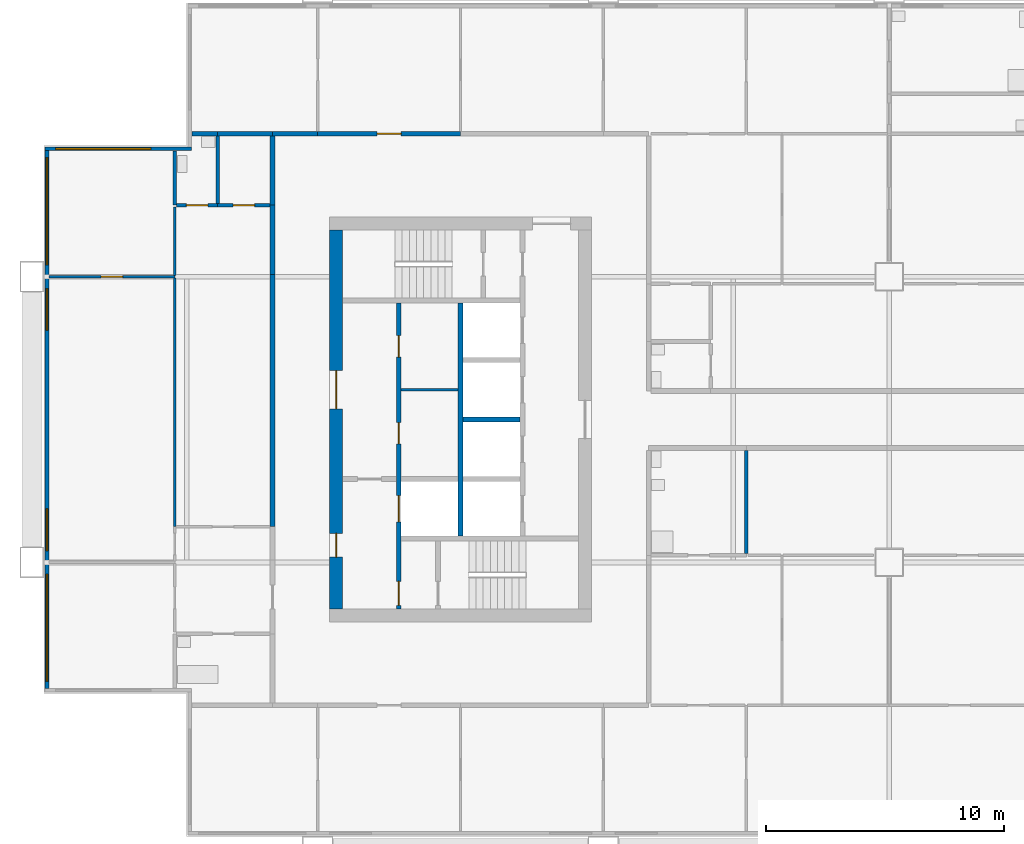
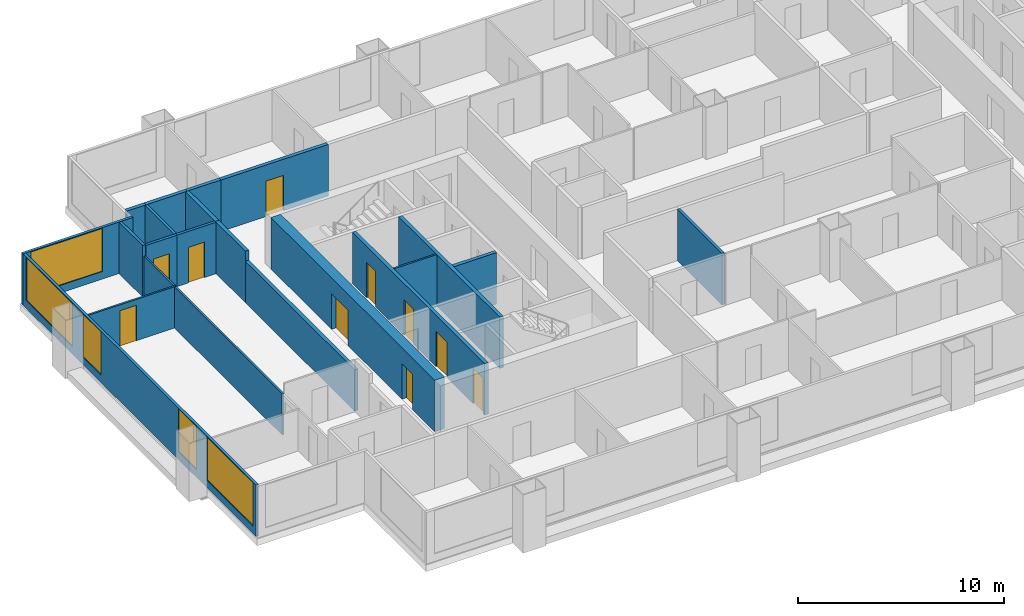
# One storey, part 3 of 9: 22 walls, 10 doors, 5 windows, 15 openings.
"""IFC4 building model written with IfcOpenShell, lengths in metres."""

from ifc_helpers import new_model, si_unit, direction, frame, frame_2d, origin, place, context, subcontext, project, spatial, rectangle, extrude, material, layer, layer_set, type_object, element, fill, save


model = new_model("IFC4")

# Units and contexts
model_context = context("Model", 3, precision=1e-05, world=origin(), true_north=direction((0.0, 1.0)))
body_context = subcontext(model_context, "Body", "Model", "MODEL_VIEW")
ifc_project = project(units=[si_unit("LENGTHUNIT", "METRE"), si_unit("AREAUNIT", "SQUARE_METRE"), si_unit("VOLUMEUNIT", "CUBIC_METRE"), si_unit("PLANEANGLEUNIT", "RADIAN"), si_unit("MASSUNIT", "GRAM", prefix="KILO")], contexts=[model_context])

# Site, building, storey
site_placement = place(None, origin())
site = spatial("IfcSite", under=ifc_project, at=site_placement, CompositionType="ELEMENT")
building_placement = place(site_placement, origin())
building = spatial("IfcBuilding", under=site, at=building_placement, Name="Kitamizu Gate Tower and Museum", CompositionType="ELEMENT")
storey_placement = place(building_placement, frame((0.0, 0.0, 178.949951171875)))
storey = spatial("IfcBuildingStorey", under=building, at=storey_placement, Name="L47", CompositionType="ELEMENT", Elevation=178.949951171875)

# Wall, openings, doors
ifc_material_1 = material(Name="Concrete Fc42", Category="concrete")
ifc_layer_1 = layer(ifc_material_1, 0.550048828125)
ifc_layer_set_1 = layer_set([ifc_layer_1], Name="Concrete Fc42")
wall_type_1 = type_object("IfcWallType", Name="Core wall 550", PredefinedType="SHEAR", material=ifc_layer_set_1)
wall_1_placement = place(storey_placement, frame((12.77490234375, 22.050048828125, 0.0), z_axis=(0.0, 0.0, 1.0), x_axis=(0.0, 1.0, 0.0)))
wall_1 = element("IfcWall", 1, at=wall_1_placement, inside=storey, type_object=wall_type_1, Name="Core wall WOUT", PredefinedType="SHEAR", context=body_context, shape_type="SweptSolid", body=[
    extrude(rectangle(XDim=15.89990234375, YDim=0.550048828125, at=frame_2d((7.949951171875, 0.0))), origin(), (0.0, 0.0, 1.0), 3.050048828125),
])
opening_1_placement = place(wall_1_placement, frame((8.39990234375, 0.0, 0.0)))
opening_1 = element("IfcOpeningElement", 2, at=opening_1_placement, cuts=wall_1, Name="Opening L47-046", PredefinedType="OPENING", context=body_context, shape_type="SweptSolid", body=[
    extrude(rectangle(XDim=1.60009765625, YDim=2.10009765625, at=frame_2d((0.800048828125, 1.050048828125))), frame((0.0, 0.28515625, 0.0), z_axis=(0.0, -1.0, 0.0), x_axis=(1.0, 0.0, 0.0)), (0.0, 0.0, 1.0), 0.570068359375),
])
opening_2_placement = place(wall_1_placement, frame((2.175048828125, 0.0, 0.0)))
opening_2 = element("IfcOpeningElement", 3, at=opening_2_placement, cuts=wall_1, Name="Opening L47-047", PredefinedType="OPENING", context=body_context, shape_type="SweptSolid", body=[
    extrude(rectangle(XDim=1.0, YDim=2.10009765625, at=frame_2d((0.5, 1.050048828125))), frame((0.0, 0.28515625, 0.0), z_axis=(0.0, -1.0, 0.0), x_axis=(1.0, 0.0, 0.0)), (0.0, 0.0, 1.0), 0.570068359375),
])
ifc_material_2 = material(Name="Timber door set", Category="wood")
door_type_1 = type_object("IfcDoorType", Name="Entrance door 1600", OperationType="DOUBLE_DOOR_SINGLE_SWING", PredefinedType="DOOR", material=ifc_material_2)
door_1_placement = place(opening_1_placement, origin())
door_1 = element("IfcDoor", 4, at=door_1_placement, inside=storey, type_object=door_type_1, Name="Lobby door L47-046", OperationType="DOUBLE_DOOR_SINGLE_SWING", OverallHeight=2.10009765625, OverallWidth=1.60009765625, PredefinedType="DOOR", context=body_context, shape_type="SweptSolid", body=[
    extrude(rectangle(XDim=1.60009765625, YDim=2.10009765625, at=frame_2d((0.800048828125, 1.050048828125))), frame((0.0, 0.02490234375, 0.0), z_axis=(0.0, -1.0, 0.0), x_axis=(1.0, 0.0, 0.0)), (0.0, 0.0, 1.0), 0.050048828125),
])
fill(opening_1, door_1)
ifc_material_3 = material(Name="Hollow metal door set")
door_type_2 = type_object("IfcDoorType", Name="Fire door 1000", OperationType="NOTDEFINED", PredefinedType="DOOR", material=ifc_material_3)
door_2_placement = place(opening_2_placement, frame((1.0, 0.0, 0.0), x_axis=(-1.0, 0.0, 0.0)))
door_2 = element("IfcDoor", 5, at=door_2_placement, inside=storey, type_object=door_type_2, Name="Fire-fighting lobby door L47-047", OperationType="SINGLE_SWING_LEFT", OverallHeight=2.10009765625, OverallWidth=1.0, PredefinedType="DOOR", context=body_context, shape_type="SweptSolid", body=[
    extrude(rectangle(XDim=1.0, YDim=2.10009765625, at=frame_2d((0.5, 1.050048828125))), frame((0.0, 0.02490234375, 0.0), z_axis=(0.0, -1.0, 0.0), x_axis=(1.0, 0.0, 0.0)), (0.0, 0.0, 1.0), 0.050048828125),
])
fill(opening_2, door_2)

# Wall
ifc_material_4 = material(Name="Gypsum board on galvanised stud")
ifc_layer_2 = layer(ifc_material_4, 0.10009765625)
ifc_layer_set_2 = layer_set([ifc_layer_2], Name="Gypsum board on galvanised stud")
wall_type_2 = type_object("IfcWallType", Name="Partition 100", PredefinedType="PARTITIONING", material=ifc_layer_set_2)
wall_2_placement = place(storey_placement, frame((15.5, 31.25, 0.0), z_axis=(0.0, 0.0, 1.0), x_axis=(1.0, 0.0, 0.0)))
element("IfcWall", 6, at=wall_2_placement, inside=storey, type_object=wall_type_2, Name="Partition WPF1", PredefinedType="PARTITIONING", context=body_context, shape_type="SweptSolid", body=[
    extrude(rectangle(XDim=2.39990234375, YDim=0.10009765625, at=frame_2d((1.199951171875, 0.0))), origin(), (0.0, 0.0, 1.0), 3.050048828125),
])

# Wall, opening, door
ifc_material_5 = material(Name="Gypsum board on galvanised stud")
ifc_layer_3 = layer(ifc_material_5, 0.10009765625)
ifc_layer_set_3 = layer_set([ifc_layer_3], Name="Gypsum board on galvanised stud")
wall_type_3 = type_object("IfcWallType", Name="Partition 100 NOT RATED", PredefinedType="PARTITIONING", material=ifc_layer_set_3)
wall_3_placement = place(storey_placement, frame((6.0, 36.0, 0.0), z_axis=(0.0, 0.0, 1.0), x_axis=(-1.0, 0.0, 0.0)))
wall_3 = element("IfcWall", 7, at=wall_3_placement, inside=storey, type_object=wall_type_3, Name="Partition L47-082", PredefinedType="PARTITIONING", context=body_context, shape_type="SweptSolid", body=[
    extrude(rectangle(XDim=5.280029296875, YDim=0.10009765625, at=frame_2d((2.64013671875, 0.0))), origin(), (0.0, 0.0, 1.0), 2.449951171875),
])
opening_3_placement = place(wall_3_placement, frame((2.18994140625, 0.0, 0.0)))
opening_3 = element("IfcOpeningElement", 8, at=opening_3_placement, cuts=wall_3, Name="Opening L47-032", PredefinedType="OPENING", context=body_context, shape_type="SweptSolid", body=[
    extrude(rectangle(XDim=0.89990234375, YDim=2.10009765625, at=frame_2d((0.449951171875, 1.050048828125))), frame((0.0, 0.06005859375, 0.0), z_axis=(0.0, -1.0, 0.0), x_axis=(1.0, 0.0, 0.0)), (0.0, 0.0, 1.0), 0.1201171875),
])
ifc_material_6 = material(Name="Timber door set", Category="wood")
door_type_3 = type_object("IfcDoorType", Name="Room door 900", OperationType="NOTDEFINED", PredefinedType="DOOR", material=ifc_material_6)
door_3_placement = place(opening_3_placement, frame((0.89990234375, 0.0, 0.0), x_axis=(-1.0, 0.0, 0.0)))
door_3 = element("IfcDoor", 9, at=door_3_placement, inside=storey, type_object=door_type_3, Name="Door L47-032", OperationType="SINGLE_SWING_LEFT", OverallHeight=2.10009765625, OverallWidth=0.89990234375, PredefinedType="DOOR", context=body_context, shape_type="SweptSolid", body=[
    extrude(rectangle(XDim=0.89990234375, YDim=2.10009765625, at=frame_2d((0.449951171875, 1.050048828125))), frame((0.0, 0.02490234375, 0.0), z_axis=(0.0, -1.0, 0.0), x_axis=(1.0, 0.0, 0.0)), (0.0, 0.0, 1.0), 0.050048828125),
])
fill(opening_3, door_3)

# Walls
wall_4_placement = place(storey_placement, frame((6.0, 25.5, 0.0), z_axis=(0.0, 0.0, 1.0), x_axis=(0.0, 1.0, 0.0)))
element("IfcWall", 10, at=wall_4_placement, inside=storey, type_object=wall_type_3, Name="Partition L47-084", PredefinedType="PARTITIONING", context=body_context, shape_type="SweptSolid", body=[
    extrude(rectangle(XDim=10.449951171875, YDim=0.10009765625, at=frame_2d((5.22509765625, 0.0))), origin(), (0.0, 0.0, 1.0), 2.449951171875),
])
wall_5_placement = place(storey_placement, frame((6.0, 36.050048828125, 0.0), z_axis=(0.0, 0.0, 1.0), x_axis=(0.0, 1.0, 0.0)))
element("IfcWall", 11, at=wall_5_placement, inside=storey, type_object=wall_type_3, Name="Partition L47-085", PredefinedType="PARTITIONING", context=body_context, shape_type="SweptSolid", body=[
    extrude(rectangle(XDim=2.875, YDim=0.10009765625, at=frame_2d((1.4375, 0.0))), origin(), (0.0, 0.0, 1.0), 2.449951171875),
])
ifc_material_7 = material(Name="Gypsum board on galvanised stud")
ifc_layer_4 = layer(ifc_material_7, 0.14990234375)
ifc_layer_set_4 = layer_set([ifc_layer_4], Name="Gypsum board on galvanised stud")
wall_type_4 = type_object("IfcWallType", Name="Partition 150", PredefinedType="PARTITIONING", material=ifc_layer_set_4)
wall_6_placement = place(storey_placement, frame((30.0, 24.375, 0.0), z_axis=(0.0, 0.0, 1.0), x_axis=(0.0, 1.0, 0.0)))
element("IfcWall", 12, at=wall_6_placement, inside=storey, type_object=wall_type_4, Name="Partition L47-025", PredefinedType="PARTITIONING", context=body_context, shape_type="SweptSolid", body=[
    extrude(rectangle(XDim=4.324951171875, YDim=0.14990234375, at=frame_2d((2.16259765625, 0.0))), origin(), (0.0, 0.0, 1.0), 3.050048828125),
])
wall_7_placement = place(storey_placement, frame((6.0, 39.0, 0.0), z_axis=(0.0, 0.0, 1.0), x_axis=(0.0, 1.0, 0.0)))
element("IfcWall", 13, at=wall_7_placement, inside=storey, type_object=wall_type_4, Name="Partition L47-086", PredefinedType="PARTITIONING", context=body_context, shape_type="SweptSolid", body=[
    extrude(rectangle(XDim=2.280029296875, YDim=0.14990234375, at=frame_2d((1.14013671875, 0.0))), origin(), (0.0, 0.0, 1.0), 3.050048828125),
])

# Wall, opening, door
wall_8_placement = place(storey_placement, frame((7.800048828125, 39.0, 0.0), z_axis=(0.0, 0.0, 1.0), x_axis=(-1.0, 0.0, 0.0)))
wall_8 = element("IfcWall", 14, at=wall_8_placement, inside=storey, type_object=wall_type_4, Name="Partition L47-092", PredefinedType="PARTITIONING", context=body_context, shape_type="SweptSolid", body=[
    extrude(rectangle(XDim=1.72509765625, YDim=0.14990234375, at=frame_2d((0.862548828125, 0.0))), origin(), (0.0, 0.0, 1.0), 3.050048828125),
])
opening_4_placement = place(wall_8_placement, frame((0.41259765625, 0.0, 0.0)))
opening_4 = element("IfcOpeningElement", 15, at=opening_4_placement, cuts=wall_8, Name="Opening L47-034", PredefinedType="OPENING", context=body_context, shape_type="SweptSolid", body=[
    extrude(rectangle(XDim=0.89990234375, YDim=2.10009765625, at=frame_2d((0.449951171875, 1.050048828125))), frame((0.0, 0.0849609375, 0.0), z_axis=(0.0, -1.0, 0.0), x_axis=(1.0, 0.0, 0.0)), (0.0, 0.0, 1.0), 0.169921875),
])
ifc_material_8 = material(Name="Timber door set", Category="wood")
door_type_4 = type_object("IfcDoorType", Name="Bathroom door 900", OperationType="NOTDEFINED", PredefinedType="DOOR", material=ifc_material_8)
door_4_placement = place(opening_4_placement, frame((0.89990234375, 0.0, 0.0), x_axis=(-1.0, 0.0, 0.0)))
door_4 = element("IfcDoor", 16, at=door_4_placement, inside=storey, type_object=door_type_4, Name="Bathroom door L47-034", OperationType="SINGLE_SWING_LEFT", OverallHeight=2.10009765625, OverallWidth=0.89990234375, PredefinedType="DOOR", context=body_context, shape_type="SweptSolid", body=[
    extrude(rectangle(XDim=0.89990234375, YDim=2.10009765625, at=frame_2d((0.449951171875, 1.050048828125))), frame((0.0, 0.02490234375, 0.0), z_axis=(0.0, -1.0, 0.0), x_axis=(1.0, 0.0, 0.0)), (0.0, 0.0, 1.0), 0.050048828125),
])
fill(opening_4, door_4)

wall_9_placement = place(storey_placement, frame((10.0, 39.0, 0.0), z_axis=(0.0, 0.0, 1.0), x_axis=(-1.0, 0.0, 0.0)))
wall_9 = element("IfcWall", 17, at=wall_9_placement, inside=storey, type_object=wall_type_4, Name="Partition L47-093", PredefinedType="PARTITIONING", context=body_context, shape_type="SweptSolid", body=[
    extrude(rectangle(XDim=2.199951171875, YDim=0.14990234375, at=frame_2d((1.10009765625, 0.0))), origin(), (0.0, 0.0, 1.0), 3.050048828125),
])
opening_5_placement = place(wall_9_placement, frame((0.64990234375, 0.0, 0.0)))
opening_5 = element("IfcOpeningElement", 18, at=opening_5_placement, cuts=wall_9, Name="Opening L47-035", PredefinedType="OPENING", context=body_context, shape_type="SweptSolid", body=[
    extrude(rectangle(XDim=0.89990234375, YDim=2.10009765625, at=frame_2d((0.449951171875, 1.050048828125))), frame((0.0, 0.0849609375, 0.0), z_axis=(0.0, -1.0, 0.0), x_axis=(1.0, 0.0, 0.0)), (0.0, 0.0, 1.0), 0.169921875),
])
door_5_placement = place(opening_5_placement, frame((0.89990234375, 0.0, 0.0), x_axis=(-1.0, 0.0, 0.0)))
door_5 = element("IfcDoor", 19, at=door_5_placement, inside=storey, type_object=door_type_4, Name="Bathroom door L47-035", OperationType="SINGLE_SWING_RIGHT", OverallHeight=2.10009765625, OverallWidth=0.89990234375, PredefinedType="DOOR", context=body_context, shape_type="SweptSolid", body=[
    extrude(rectangle(XDim=0.89990234375, YDim=2.10009765625, at=frame_2d((0.449951171875, 1.050048828125))), frame((0.0, 0.02490234375, 0.0), z_axis=(0.0, -1.0, 0.0), x_axis=(1.0, 0.0, 0.0)), (0.0, 0.0, 1.0), 0.050048828125),
])
fill(opening_5, door_5)

# Walls
wall_10_placement = place(storey_placement, frame((7.800048828125, 39.074951171875, 0.0), z_axis=(0.0, 0.0, 1.0), x_axis=(0.0, 1.0, 0.0)))
element("IfcWall", 20, at=wall_10_placement, inside=storey, type_object=wall_type_4, Name="Partition L47-096", PredefinedType="PARTITIONING", context=body_context, shape_type="SweptSolid", body=[
    extrude(rectangle(XDim=2.824951171875, YDim=0.14990234375, at=frame_2d((1.41259765625, 0.0))), origin(), (0.0, 0.0, 1.0), 3.050048828125),
])
ifc_material_9 = material(Name="Gypsum board on galvanised stud")
ifc_layer_5 = layer(ifc_material_9, 0.199951171875)
ifc_layer_set_5 = layer_set([ifc_layer_5], Name="Gypsum board on galvanised stud")
wall_type_5 = type_object("IfcWallType", Name="Partition 200", PredefinedType="PARTITIONING", material=ifc_layer_set_5)
wall_11_placement = place(storey_placement, frame((6.719970703125, 42.0, 0.0), z_axis=(0.0, 0.0, 1.0), x_axis=(1.0, 0.0, 0.0)))
element("IfcWall", 21, at=wall_11_placement, inside=storey, type_object=wall_type_5, Name="Partition L47-042", PredefinedType="PARTITIONING", context=body_context, shape_type="SweptSolid", body=[
    extrude(rectangle(XDim=1.080078125, YDim=0.199951171875, at=frame_2d((0.5400390625, 0.0))), origin(), (0.0, 0.0, 1.0), 3.050048828125),
])
wall_12_placement = place(storey_placement, frame((7.800048828125, 42.0, 0.0), z_axis=(0.0, 0.0, 1.0), x_axis=(1.0, 0.0, 0.0)))
element("IfcWall", 22, at=wall_12_placement, inside=storey, type_object=wall_type_5, Name="Partition L47-043", PredefinedType="PARTITIONING", context=body_context, shape_type="SweptSolid", body=[
    extrude(rectangle(XDim=2.300048828125, YDim=0.199951171875, at=frame_2d((1.14990234375, 0.0))), origin(), (0.0, 0.0, 1.0), 3.050048828125),
])
wall_13_placement = place(storey_placement, frame((10.10009765625, 42.0, 0.0), z_axis=(0.0, 0.0, 1.0), x_axis=(1.0, 0.0, 0.0)))
element("IfcWall", 23, at=wall_13_placement, inside=storey, type_object=wall_type_5, Name="Partition L47-044", PredefinedType="PARTITIONING", context=body_context, shape_type="SweptSolid", body=[
    extrude(rectangle(XDim=1.89990234375, YDim=0.199951171875, at=frame_2d((0.949951171875, 0.0))), origin(), (0.0, 0.0, 1.0), 3.050048828125),
])

# Wall, opening, door
wall_14_placement = place(storey_placement, frame((12.0, 42.0, 0.0), z_axis=(0.0, 0.0, 1.0), x_axis=(1.0, 0.0, 0.0)))
wall_14 = element("IfcWall", 24, at=wall_14_placement, inside=storey, type_object=wall_type_5, Name="Partition L47-046", PredefinedType="PARTITIONING", context=body_context, shape_type="SweptSolid", body=[
    extrude(rectangle(XDim=6.0, YDim=0.199951171875, at=frame_2d((3.0, 0.0))), origin(), (0.0, 0.0, 1.0), 3.050048828125),
])
opening_6_placement = place(wall_14_placement, frame((2.5, 0.0, 0.0)))
opening_6 = element("IfcOpeningElement", 25, at=opening_6_placement, cuts=wall_14, Name="Opening L47-015", PredefinedType="OPENING", context=body_context, shape_type="SweptSolid", body=[
    extrude(rectangle(XDim=1.0, YDim=2.10009765625, at=frame_2d((0.5, 1.050048828125))), frame((0.0, 0.10986328125, 0.0), z_axis=(0.0, -1.0, 0.0), x_axis=(1.0, 0.0, 0.0)), (0.0, 0.0, 1.0), 0.219970703125),
])
ifc_material_10 = material(Name="Timber door set", Category="wood")
door_type_5 = type_object("IfcDoorType", Name="Flat entrance door 1000", OperationType="NOTDEFINED", PredefinedType="DOOR", material=ifc_material_10)
door_6_placement = place(opening_6_placement, origin())
door_6 = element("IfcDoor", 26, at=door_6_placement, inside=storey, type_object=door_type_5, Name="Flat entrance door L47-015", OperationType="SINGLE_SWING_RIGHT", OverallHeight=2.10009765625, OverallWidth=1.0, PredefinedType="DOOR", context=body_context, shape_type="SweptSolid", body=[
    extrude(rectangle(XDim=1.0, YDim=2.10009765625, at=frame_2d((0.5, 1.050048828125))), frame((0.0, 0.02490234375, 0.0), z_axis=(0.0, -1.0, 0.0), x_axis=(1.0, 0.0, 0.0)), (0.0, 0.0, 1.0), 0.050048828125),
])
fill(opening_6, door_6)

# Walls
wall_15_placement = place(storey_placement, frame((10.10009765625, 25.5, 0.0), z_axis=(0.0, 0.0, 1.0), x_axis=(0.0, 1.0, 0.0)))
element("IfcWall", 27, at=wall_15_placement, inside=storey, type_object=wall_type_5, Name="Partition L47-094", PredefinedType="PARTITIONING", context=body_context, shape_type="SweptSolid", body=[
    extrude(rectangle(XDim=10.60009765625, YDim=0.199951171875, at=frame_2d((5.300048828125, 0.0))), origin(), (0.0, 0.0, 1.0), 2.449951171875),
])
for number, where, z_axis, x_axis, name in (
    (28, (10.10009765625, 36.10009765625, 0.0), (0.0, 0.0, 1.0), (0.0, 1.0, 0.0), "Partition L47-095"),
    (29, (10.10009765625, 39.0, 0.0), (0.0, 0.0, 1.0), (0.0, 1.0, 0.0), "Partition L47-097"),
):
    element("IfcWall", number, at=place(storey_placement, frame(where, z_axis=z_axis, x_axis=x_axis)), inside=storey, type_object=wall_type_5, Name=name, PredefinedType="PARTITIONING", context=body_context, shape_type="SweptSolid", body=[
        extrude(rectangle(XDim=2.89990234375, YDim=0.199951171875, at=frame_2d((1.449951171875, 0.0))), origin(), (0.0, 0.0, 1.0), 3.050048828125),
    ])

# Wall, openings, doors
ifc_material_11 = material(Name="Concrete Fc42", Category="concrete")
ifc_layer_6 = layer(ifc_material_11, 0.199951171875)
ifc_layer_set_6 = layer_set([ifc_layer_6], Name="Concrete Fc42")
wall_type_6 = type_object("IfcWallType", Name="Shaft wall 200", PredefinedType="SOLIDWALL", material=ifc_layer_set_6)
wall_16_placement = place(storey_placement, frame((15.39990234375, 22.050048828125, 0.0), z_axis=(0.0, 0.0, 1.0), x_axis=(0.0, 1.0, 0.0)))
wall_16 = element("IfcWall", 30, at=wall_16_placement, inside=storey, type_object=wall_type_6, Name="Shaft wall WWEST", PredefinedType="SOLIDWALL", context=body_context, shape_type="SweptSolid", body=[
    extrude(rectangle(XDim=12.849853515625, YDim=0.199951171875, at=frame_2d((6.4248046875, 0.0))), origin(), (0.0, 0.0, 1.0), 3.050048828125),
])
opening_7_placement = place(wall_16_placement, frame((3.64990234375, 0.0, 0.0)))
opening_7 = element("IfcOpeningElement", 31, at=opening_7_placement, cuts=wall_16, Name="Opening LD", PredefinedType="OPENING", context=body_context, shape_type="SweptSolid", body=[
    extrude(rectangle(XDim=1.10009765625, YDim=2.10009765625, at=frame_2d((0.550048828125, 1.050048828125))), frame((0.0, 0.10986328125, 0.0), z_axis=(0.0, -1.0, 0.0), x_axis=(1.0, 0.0, 0.0)), (0.0, 0.0, 1.0), 0.219970703125),
])
opening_8_placement = place(wall_16_placement, frame((0.14990234375, 0.0, 0.0)))
opening_8 = element("IfcOpeningElement", 32, at=opening_8_placement, cuts=wall_16, Name="Opening L47-042", PredefinedType="OPENING", context=body_context, shape_type="SweptSolid", body=[
    extrude(rectangle(XDim=1.0, YDim=2.10009765625, at=frame_2d((0.5, 1.050048828125))), frame((0.0, 0.10986328125, 0.0), z_axis=(0.0, -1.0, 0.0), x_axis=(1.0, 0.0, 0.0)), (0.0, 0.0, 1.0), 0.219970703125),
])
opening_9_placement = place(wall_16_placement, frame((6.925048828125, 0.0, 0.0)))
opening_9 = element("IfcOpeningElement", 33, at=opening_9_placement, cuts=wall_16, Name="Opening L47-050", PredefinedType="OPENING", context=body_context, shape_type="SweptSolid", body=[
    extrude(rectangle(XDim=0.89990234375, YDim=2.10009765625, at=frame_2d((0.449951171875, 1.050048828125))), frame((0.0, 0.10986328125, 0.0), z_axis=(0.0, -1.0, 0.0), x_axis=(1.0, 0.0, 0.0)), (0.0, 0.0, 1.0), 0.219970703125),
])
opening_10_placement = place(wall_16_placement, frame((10.574951171875, 0.0, 0.0)))
opening_10 = element("IfcOpeningElement", 34, at=opening_10_placement, cuts=wall_16, Name="Opening L47-051", PredefinedType="OPENING", context=body_context, shape_type="SweptSolid", body=[
    extrude(rectangle(XDim=0.89990234375, YDim=2.10009765625, at=frame_2d((0.449951171875, 1.050048828125))), frame((0.0, 0.10986328125, 0.0), z_axis=(0.0, -1.0, 0.0), x_axis=(1.0, 0.0, 0.0)), (0.0, 0.0, 1.0), 0.219970703125),
])
door_7_placement = place(opening_8_placement, frame((1.0, 0.0, 0.0), x_axis=(-1.0, 0.0, 0.0)))
door_7 = element("IfcDoor", 35, at=door_7_placement, inside=storey, type_object=door_type_2, Name="Stair lobby door L47-042", OperationType="SINGLE_SWING_LEFT", OverallHeight=2.10009765625, OverallWidth=1.0, PredefinedType="DOOR", context=body_context, shape_type="SweptSolid", body=[
    extrude(rectangle(XDim=1.0, YDim=2.10009765625, at=frame_2d((0.5, 1.050048828125))), frame((0.0, 0.02490234375, 0.0), z_axis=(0.0, -1.0, 0.0), x_axis=(1.0, 0.0, 0.0)), (0.0, 0.0, 1.0), 0.050048828125),
])
fill(opening_8, door_7)
ifc_material_12 = material(Name="Hollow metal door set")
door_type_6 = type_object("IfcDoorType", Name="Landing door 1100", OperationType="SLIDING_TO_LEFT", PredefinedType="DOOR", material=ifc_material_12)
door_8_placement = place(opening_7_placement, origin())
door_8 = element("IfcDoor", 36, at=door_8_placement, inside=storey, type_object=door_type_6, Name="Landing door WFF1", OperationType="SLIDING_TO_LEFT", OverallHeight=2.10009765625, OverallWidth=1.10009765625, PredefinedType="DOOR", context=body_context, shape_type="SweptSolid", body=[
    extrude(rectangle(XDim=1.10009765625, YDim=2.10009765625, at=frame_2d((0.550048828125, 1.050048828125))), frame((0.0, 0.02490234375, 0.0), z_axis=(0.0, -1.0, 0.0), x_axis=(1.0, 0.0, 0.0)), (0.0, 0.0, 1.0), 0.050048828125),
])
fill(opening_7, door_8)
ifc_material_13 = material(Name="Timber door set", Category="wood")
door_type_7 = type_object("IfcDoorType", Name="Service door 900", OperationType="NOTDEFINED", PredefinedType="DOOR", material=ifc_material_13)
door_9_placement = place(opening_9_placement, frame((0.89990234375, 0.0, 0.0), x_axis=(-1.0, 0.0, 0.0)))
door_9 = element("IfcDoor", 37, at=door_9_placement, inside=storey, type_object=door_type_7, Name="Service door L47-050", OperationType="SINGLE_SWING_RIGHT", OverallHeight=2.10009765625, OverallWidth=0.89990234375, PredefinedType="DOOR", context=body_context, shape_type="SweptSolid", body=[
    extrude(rectangle(XDim=0.89990234375, YDim=2.10009765625, at=frame_2d((0.449951171875, 1.050048828125))), frame((0.0, 0.02490234375, 0.0), z_axis=(0.0, -1.0, 0.0), x_axis=(1.0, 0.0, 0.0)), (0.0, 0.0, 1.0), 0.050048828125),
])
fill(opening_9, door_9)
door_10_placement = place(opening_10_placement, frame((0.89990234375, 0.0, 0.0), x_axis=(-1.0, 0.0, 0.0)))
door_10 = element("IfcDoor", 38, at=door_10_placement, inside=storey, type_object=door_type_7, Name="Service door L47-051", OperationType="SINGLE_SWING_LEFT", OverallHeight=2.10009765625, OverallWidth=0.89990234375, PredefinedType="DOOR", context=body_context, shape_type="SweptSolid", body=[
    extrude(rectangle(XDim=0.89990234375, YDim=2.10009765625, at=frame_2d((0.449951171875, 1.050048828125))), frame((0.0, 0.02490234375, 0.0), z_axis=(0.0, -1.0, 0.0), x_axis=(1.0, 0.0, 0.0)), (0.0, 0.0, 1.0), 0.050048828125),
])
fill(opening_10, door_10)

# Walls
wall_17_placement = place(storey_placement, frame((18.0, 25.10009765625, 0.0), z_axis=(0.0, 0.0, 1.0), x_axis=(0.0, 1.0, 0.0)))
element("IfcWall", 39, at=wall_17_placement, inside=storey, type_object=wall_type_6, Name="Shaft wall WMID", PredefinedType="SOLIDWALL", context=body_context, shape_type="SweptSolid", body=[
    extrude(rectangle(XDim=9.7998046875, YDim=0.199951171875, at=frame_2d((4.89990234375, 0.0))), origin(), (0.0, 0.0, 1.0), 3.050048828125),
])
wall_18_placement = place(storey_placement, frame((18.10009765625, 30.0, 0.0), z_axis=(0.0, 0.0, 1.0), x_axis=(1.0, 0.0, 0.0)))
element("IfcWall", 40, at=wall_18_placement, inside=storey, type_object=wall_type_6, Name="Shaft wall WDVE1", PredefinedType="SOLIDWALL", context=body_context, shape_type="SweptSolid", body=[
    extrude(rectangle(XDim=2.39990234375, YDim=0.199951171875, at=frame_2d((1.199951171875, 0.0))), origin(), (0.0, 0.0, 1.0), 3.050048828125),
])

# Wall, opening, window
ifc_material_14 = material(Name="Bronze anodised aluminium frame with insulated spandrel and tinted glass", Category="aluminium")
ifc_layer_7 = layer(ifc_material_14, 0.14990234375)
ifc_layer_set_7 = layer_set([ifc_layer_7], Name="Bronze anodised aluminium frame with insulated spandrel and tinted glass")
wall_type_7 = type_object("IfcWallType", Name="WINDOW WALL 150 BRONZE FRAME EI 30", PredefinedType="ELEMENTEDWALL", material=ifc_layer_set_7)
wall_19_placement = place(storey_placement, frame((0.56005859375, 41.364990234375, 0.0), z_axis=(0.0, 0.0, 1.0), x_axis=(1.0, 0.0, 0.0)))
wall_19 = element("IfcWall", 41, at=wall_19_placement, inside=storey, type_object=wall_type_7, Name="Window wall north L47", PredefinedType="ELEMENTEDWALL", context=body_context, shape_type="SweptSolid", body=[
    extrude(rectangle(XDim=6.14990234375, YDim=0.14990234375, at=frame_2d((3.074951171875, 0.0))), origin(), (0.0, 0.0, 1.0), 3.050048828125),
])
opening_11_placement = place(wall_19_placement, frame((0.43994140625, 0.0, 0.449951171875)))
opening_11 = element("IfcOpeningElement", 42, at=opening_11_placement, cuts=wall_19, Name="Opening W16", PredefinedType="OPENING", context=body_context, shape_type="SweptSolid", body=[
    extrude(rectangle(XDim=4.0, YDim=2.550048828125, at=frame_2d((2.0, 1.27490234375))), frame((0.0, 0.0849609375, 0.0), z_axis=(0.0, -1.0, 0.0), x_axis=(1.0, 0.0, 0.0)), (0.0, 0.0, 1.0), 0.169921875),
])
ifc_material_15 = material(Name="Bronze anodised aluminium frame, tinted triple glazing", Category="aluminium")
window_type_1 = type_object("IfcWindowType", Name="WINDOW 4000 x 2550 SILL 450", PartitioningType="SINGLE_PANEL", PredefinedType="WINDOW", material=ifc_material_15)
window_1_placement = place(opening_11_placement, origin())
window_1 = element("IfcWindow", 43, at=window_1_placement, inside=storey, type_object=window_type_1, Name="Window W16 L47", OverallHeight=2.550048828125, OverallWidth=4.0, PartitioningType="SINGLE_PANEL", PredefinedType="WINDOW", context=body_context, shape_type="SweptSolid", body=[
    extrude(rectangle(XDim=4.0, YDim=2.550048828125, at=frame_2d((2.0, 1.27490234375))), frame((0.0, 0.030029296875, 0.0), z_axis=(0.0, -1.0, 0.0), x_axis=(1.0, 0.0, 0.0)), (0.0, 0.0, 1.0), 0.06005859375),
])
fill(opening_11, window_1)

# Wall, openings, windows
wall_20_placement = place(storey_placement, frame((0.635009765625, 18.7099609375, 0.0), z_axis=(0.0, 0.0, 1.0), x_axis=(0.0, 1.0, 0.0)))
wall_20 = element("IfcWall", 44, at=wall_20_placement, inside=storey, type_object=wall_type_7, Name="Window wall west L47", PredefinedType="ELEMENTEDWALL", context=body_context, shape_type="SweptSolid", body=[
    extrude(rectangle(XDim=22.580078125, YDim=0.14990234375, at=frame_2d((11.2900390625, 0.0))), origin(), (0.0, 0.0, 1.0), 3.050048828125),
])
opening_12_placement = place(wall_20_placement, frame((0.2900390625, 0.0, 0.449951171875)))
opening_12 = element("IfcOpeningElement", 45, at=opening_12_placement, cuts=wall_20, Name="Opening W15", PredefinedType="OPENING", context=body_context, shape_type="SweptSolid", body=[
    extrude(rectangle(XDim=4.5, YDim=2.550048828125, at=frame_2d((2.25, 1.27490234375))), frame((0.0, 0.0849609375, 0.0), z_axis=(0.0, -1.0, 0.0), x_axis=(1.0, 0.0, 0.0)), (0.0, 0.0, 1.0), 0.169921875),
])
opening_13_placement = place(wall_20_placement, frame((5.7900390625, 0.0, 0.449951171875)))
opening_13 = element("IfcOpeningElement", 46, at=opening_13_placement, cuts=wall_20, Name="Opening W29", PredefinedType="OPENING", context=body_context, shape_type="SweptSolid", body=[
    extrude(rectangle(XDim=1.75, YDim=2.550048828125, at=frame_2d((0.875, 1.27490234375))), frame((0.0, 0.0849609375, 0.0), z_axis=(0.0, -1.0, 0.0), x_axis=(1.0, 0.0, 0.0)), (0.0, 0.0, 1.0), 0.169921875),
])
opening_14_placement = place(wall_20_placement, frame((15.0400390625, 0.0, 0.449951171875)))
opening_14 = element("IfcOpeningElement", 47, at=opening_14_placement, cuts=wall_20, Name="Opening W29", PredefinedType="OPENING", context=body_context, shape_type="SweptSolid", body=[
    extrude(rectangle(XDim=1.75, YDim=2.550048828125, at=frame_2d((0.875, 1.27490234375))), frame((0.0, 0.0849609375, 0.0), z_axis=(0.0, -1.0, 0.0), x_axis=(1.0, 0.0, 0.0)), (0.0, 0.0, 1.0), 0.169921875),
])
opening_15_placement = place(wall_20_placement, frame((17.7900390625, 0.0, 0.449951171875)))
opening_15 = element("IfcOpeningElement", 48, at=opening_15_placement, cuts=wall_20, Name="Opening W15", PredefinedType="OPENING", context=body_context, shape_type="SweptSolid", body=[
    extrude(rectangle(XDim=4.5, YDim=2.550048828125, at=frame_2d((2.25, 1.27490234375))), frame((0.0, 0.0849609375, 0.0), z_axis=(0.0, -1.0, 0.0), x_axis=(1.0, 0.0, 0.0)), (0.0, 0.0, 1.0), 0.169921875),
])
ifc_material_16 = material(Name="Bronze anodised aluminium frame, tinted triple glazing", Category="aluminium")
window_type_2 = type_object("IfcWindowType", Name="WINDOW 1750 x 2550 SILL 450", PartitioningType="SINGLE_PANEL", PredefinedType="WINDOW", material=ifc_material_16)
window_2_placement = place(opening_13_placement, origin())
window_2 = element("IfcWindow", 49, at=window_2_placement, inside=storey, type_object=window_type_2, Name="Window W29 L47", OverallHeight=2.550048828125, OverallWidth=1.75, PartitioningType="SINGLE_PANEL", PredefinedType="WINDOW", context=body_context, shape_type="SweptSolid", body=[
    extrude(rectangle(XDim=1.75, YDim=2.550048828125, at=frame_2d((0.875, 1.27490234375))), frame((0.0, 0.030029296875, 0.0), z_axis=(0.0, -1.0, 0.0), x_axis=(1.0, 0.0, 0.0)), (0.0, 0.0, 1.0), 0.06005859375),
])
fill(opening_13, window_2)
window_3_placement = place(opening_14_placement, origin())
window_3 = element("IfcWindow", 50, at=window_3_placement, inside=storey, type_object=window_type_2, Name="Window W29 L47", OverallHeight=2.550048828125, OverallWidth=1.75, PartitioningType="SINGLE_PANEL", PredefinedType="WINDOW", context=body_context, shape_type="SweptSolid", body=[
    extrude(rectangle(XDim=1.75, YDim=2.550048828125, at=frame_2d((0.875, 1.27490234375))), frame((0.0, 0.030029296875, 0.0), z_axis=(0.0, -1.0, 0.0), x_axis=(1.0, 0.0, 0.0)), (0.0, 0.0, 1.0), 0.06005859375),
])
fill(opening_14, window_3)
ifc_material_17 = material(Name="Bronze anodised aluminium frame, tinted triple glazing", Category="aluminium")
window_type_3 = type_object("IfcWindowType", Name="WINDOW 4500 x 2550 SILL 450", PartitioningType="SINGLE_PANEL", PredefinedType="WINDOW", material=ifc_material_17)
window_4_placement = place(opening_12_placement, origin())
window_4 = element("IfcWindow", 51, at=window_4_placement, inside=storey, type_object=window_type_3, Name="Window W15 L47", OverallHeight=2.550048828125, OverallWidth=4.5, PartitioningType="SINGLE_PANEL", PredefinedType="WINDOW", context=body_context, shape_type="SweptSolid", body=[
    extrude(rectangle(XDim=4.5, YDim=2.550048828125, at=frame_2d((2.25, 1.27490234375))), frame((0.0, 0.030029296875, 0.0), z_axis=(0.0, -1.0, 0.0), x_axis=(1.0, 0.0, 0.0)), (0.0, 0.0, 1.0), 0.06005859375),
])
fill(opening_12, window_4)
window_5_placement = place(opening_15_placement, origin())
window_5 = element("IfcWindow", 52, at=window_5_placement, inside=storey, type_object=window_type_3, Name="Window W15 L47", OverallHeight=2.550048828125, OverallWidth=4.5, PartitioningType="SINGLE_PANEL", PredefinedType="WINDOW", context=body_context, shape_type="SweptSolid", body=[
    extrude(rectangle(XDim=4.5, YDim=2.550048828125, at=frame_2d((2.25, 1.27490234375))), frame((0.0, 0.030029296875, 0.0), z_axis=(0.0, -1.0, 0.0), x_axis=(1.0, 0.0, 0.0)), (0.0, 0.0, 1.0), 0.06005859375),
])
fill(opening_15, window_5)

save(model, "model.ifc")
